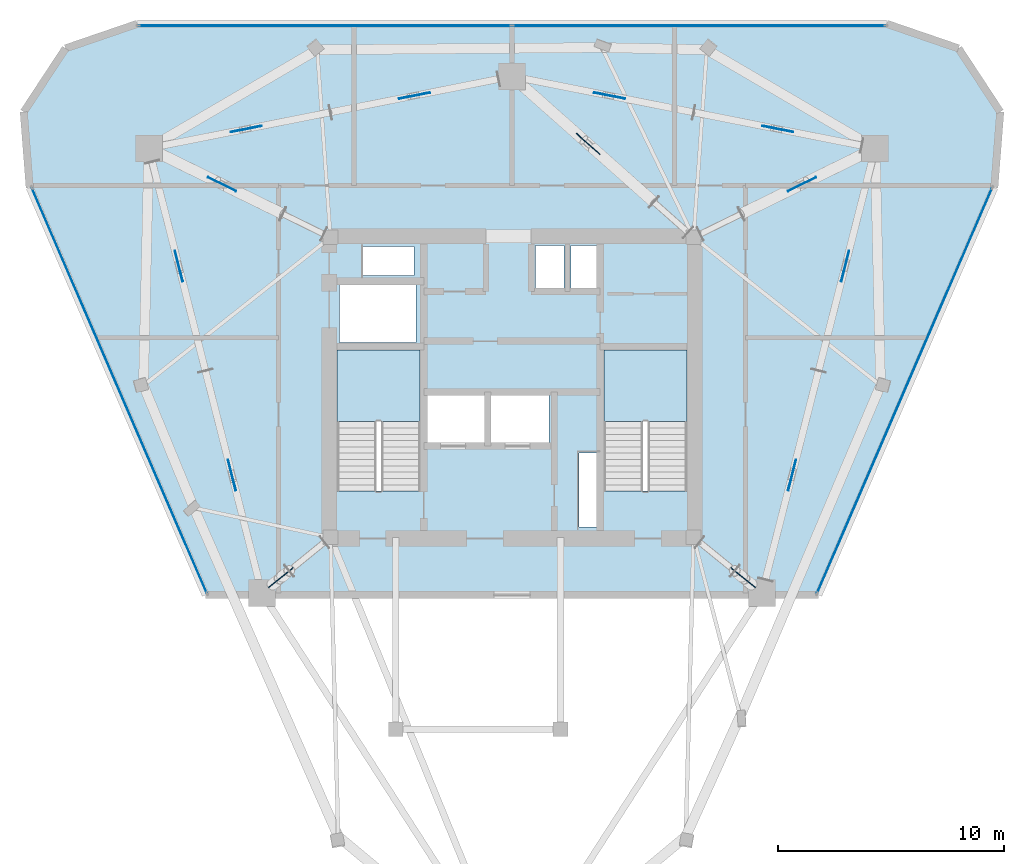
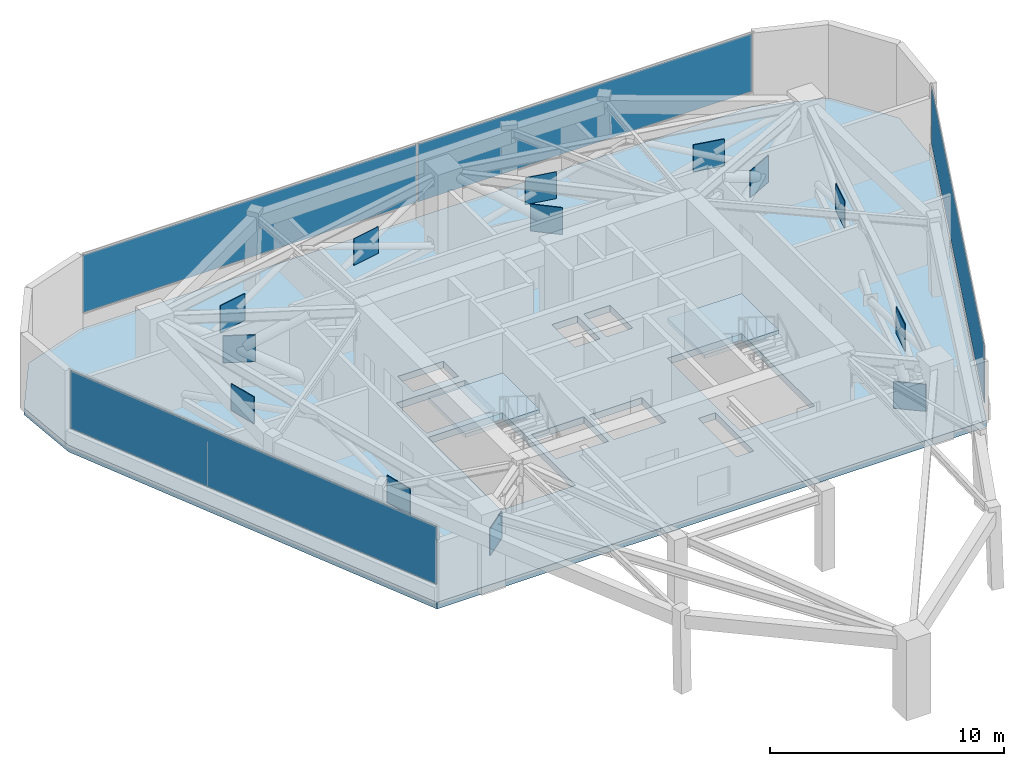
# One storey, part 6 of 9: 17 plates, 3 slabs, 5 elements without a shape of their own.
"""IFC4 building model written with IfcOpenShell, lengths in metres."""

from ifc_helpers import new_model, si_unit, direction, frame, origin, origin_2d, place, context, subcontext, project, spatial, polyline, rectangle, outline, extrude, material, layer, layer_set, type_object, element, aggregate, save


model = new_model("IFC4")

# Units and contexts
model_context = context("Model", 3, precision=1e-05, world=origin(), true_north=direction((0.0, 1.0)))
body_context = subcontext(model_context, "Body", "Model", "MODEL_VIEW")
ifc_project = project(units=[si_unit("LENGTHUNIT", "METRE"), si_unit("AREAUNIT", "SQUARE_METRE"), si_unit("VOLUMEUNIT", "CUBIC_METRE"), si_unit("PLANEANGLEUNIT", "RADIAN"), si_unit("MASSUNIT", "GRAM", prefix="KILO")], contexts=[model_context])

# Site, building, storey
site_placement = place(None, origin())
site = spatial("IfcSite", under=ifc_project, at=site_placement, CompositionType="ELEMENT")
building_placement = place(site_placement, origin())
building = spatial("IfcBuilding", under=site, at=building_placement, Name="Talyreon Biosciences Tower", CompositionType="ELEMENT")
storey_placement = place(building_placement, frame((0.0, 0.0, 279.60009765625)))
storey = spatial("IfcBuildingStorey", under=building, at=storey_placement, Name="L74", CompositionType="ELEMENT", Elevation=279.60009765625)

# Curtain wall, plates
ifc_material_1 = material(Name="Thermally broken aluminium and low-E glazing", Category="aluminium")
ifc_layer_1 = layer(ifc_material_1, 0.175048828125)
ifc_layer_set_1 = layer_set([ifc_layer_1], Name="Thermally broken aluminium and low-E glazing")
curtain_wall_type = type_object("IfcCurtainWallType", Name="CurtainWall_Zone5CompLab", PredefinedType="NOTDEFINED", material=ifc_layer_set_1)
curtain_wall_1_placement = place(storey_placement, origin())
curtain_wall_1 = element("IfcCurtainWall", 1, at=curtain_wall_1_placement, inside=storey, type_object=curtain_wall_type, Name="L74 Unitised Curtain Wall FCW-L74-03", PredefinedType="NOTDEFINED")
ifc_material_2 = material(Name="Triple-silver low-E insulated glazing", Category="glass")
ifc_layer_2 = layer(ifc_material_2, 0.031982421875)
ifc_layer_set_2 = layer_set([ifc_layer_2], Name="Triple-silver low-E insulated glazing")
plate_type_1 = type_object("IfcPlateType", Name="CWGlazingPanel_32", PredefinedType="CURTAIN_PANEL", material=ifc_layer_set_2)
plate_1_placement = place(storey_placement, frame((57.71240234375, 84.037109375, 0.875), z_axis=(0.0, 0.0, 1.0), x_axis=(1.0, 0.0, 0.0)))
plate_1 = element("IfcPlate", 2, at=plate_1_placement, type_object=plate_type_1, Name="CW6 panel 1.1", PredefinedType="CURTAIN_PANEL", context=body_context, shape_type="SweptSolid", body=[
    extrude(rectangle(XDim=16.51025390625, YDim=0.031982421875, at=origin_2d()), origin(), (0.0, 0.0, 1.0), 3.010009765625),
])
plate_2_placement = place(storey_placement, frame((74.28759765625, 84.037109375, 0.875), z_axis=(0.0, 0.0, 1.0), x_axis=(1.0, 0.0, 0.0)))
plate_2 = element("IfcPlate", 3, at=plate_2_placement, type_object=plate_type_1, Name="CW6 panel 2.1", PredefinedType="CURTAIN_PANEL", context=body_context, shape_type="SweptSolid", body=[
    extrude(rectangle(XDim=16.51025390625, YDim=0.031982421875, at=origin_2d()), origin(), (0.0, 0.0, 1.0), 3.010009765625),
])
aggregate(curtain_wall_1, [plate_1, plate_2])

# Curtain wall, plate
curtain_wall_2_placement = place(storey_placement, origin())
curtain_wall_2 = element("IfcCurtainWall", 4, at=curtain_wall_2_placement, inside=storey, type_object=curtain_wall_type, Name="L74 Unitised Curtain Wall FCW-L74-07", PredefinedType="NOTDEFINED")
plate_3_placement = place(storey_placement, frame((83.40869140625, 67.859375, 0.875), z_axis=(0.0, 0.0, 1.0), x_axis=(-0.396530001116, -0.918021763475, 0.0)))
plate_3 = element("IfcPlate", 5, at=plate_3_placement, type_object=plate_type_1, Name="CW6 panel 1.1", PredefinedType="CURTAIN_PANEL", context=body_context, shape_type="SweptSolid", body=[
    extrude(rectangle(XDim=19.53759765625, YDim=0.031982421875, at=origin_2d()), origin(), (0.0, 0.0, 1.0), 3.010009765625),
])
aggregate(curtain_wall_2, [plate_3])

curtain_wall_3_placement = place(storey_placement, origin())
curtain_wall_3 = element("IfcCurtainWall", 6, at=curtain_wall_3_placement, inside=storey, type_object=curtain_wall_type, Name="L74 Unitised Curtain Wall FCW-L74-09", PredefinedType="NOTDEFINED")
plate_4_placement = place(storey_placement, frame((48.59130859375, 67.859375, 0.875), z_axis=(0.0, 0.0, 1.0), x_axis=(-0.396530001116, 0.918021763475, 0.0)))
plate_4 = element("IfcPlate", 7, at=plate_4_placement, type_object=plate_type_1, Name="CW6 panel 1.1", PredefinedType="CURTAIN_PANEL", context=body_context, shape_type="SweptSolid", body=[
    extrude(rectangle(XDim=19.53759765625, YDim=0.031982421875, at=origin_2d()), origin(), (0.0, 0.0, 1.0), 3.010009765625),
])
aggregate(curtain_wall_3, [plate_4])

# Slab
ifc_material_3 = material(Name="Concrete C50/60", Category="concrete")
ifc_layer_3 = layer(ifc_material_3, 0.35009765625)
ifc_layer_set_3 = layer_set([ifc_layer_3], Name="Concrete C50/60")
slab_type_1 = type_object("IfcSlabType", Name="PlantOutriggerSlab_350", PredefinedType="FLOOR", material=ifc_layer_set_3)
slab_1_placement = place(storey_placement, frame((0.0, 0.0, -0.35009765625)))
element("IfcSlab", 8, at=slab_1_placement, inside=storey, type_object=slab_type_1, Name="L74 Structural Floor Slab", PredefinedType="FLOOR", context=body_context, shape_type="SweptSolid", body=[
    extrude(outline(polyline([(44.61865234375, 76.855224609375), (44.356201171875, 80.212646484375), (46.2060546875, 83.02685546875), (49.392333984375, 84.1171875), (82.607666015625, 84.1171875), (85.7939453125, 83.02685546875), (87.643798828125, 80.212646484375), (87.38134765625, 76.855224609375), (79.58251953125, 58.800048828125), (52.41748046875, 58.800048828125), (44.61865234375, 76.855224609375)]), holes=[polyline([(69.820068359375, 65.10009765625), (69.820068359375, 61.800048828125), (68.9599609375, 61.800048828125), (68.9599609375, 65.10009765625), (69.820068359375, 65.10009765625)]), polyline([(61.929931640625, 69.64990234375), (61.929931640625, 63.407958984375), (58.25, 63.407958984375), (58.25, 69.64990234375), (61.929931640625, 69.64990234375)]), polyline([(73.75, 69.64990234375), (73.75, 63.407958984375), (70.070068359375, 63.407958984375), (70.070068359375, 69.64990234375), (73.75, 69.64990234375)]), polyline([(64.800048828125, 67.64990234375), (64.800048828125, 65.550048828125), (62.199951171875, 65.550048828125), (62.199951171875, 67.64990234375), (64.800048828125, 67.64990234375)]), polyline([(67.64990234375, 67.64990234375), (67.64990234375, 65.550048828125), (65.050048828125, 65.550048828125), (65.050048828125, 67.64990234375), (67.64990234375, 67.64990234375)]), polyline([(61.75, 72.550048828125), (61.75, 69.97998046875), (58.35009765625, 69.97998046875), (58.35009765625, 72.550048828125), (61.75, 72.550048828125)]), polyline([(68.300048828125, 74.300048828125), (68.300048828125, 72.35009765625), (67.050048828125, 72.35009765625), (67.050048828125, 74.300048828125), (68.300048828125, 74.300048828125)]), polyline([(69.919921875, 72.35009765625), (68.6201171875, 72.35009765625), (68.6201171875, 74.300048828125), (69.919921875, 74.300048828125), (69.919921875, 72.35009765625)]), polyline([(61.64990234375, 72.9599609375), (59.39990234375, 72.9599609375), (59.39990234375, 74.25), (61.64990234375, 74.25), (61.64990234375, 72.9599609375)])]), origin(), (0.0, 0.0, 1.0), 0.35009765625),
])

# Stair, slab
ifc_material_4 = material(Name="Concrete C40/50", Category="concrete")
stair_type = type_object("IfcStairType", Name="DoglegEscapeStair_4200", PredefinedType="HALF_TURN_STAIR", material=ifc_material_4)
stair_1_placement = place(storey_placement, origin())
stair_1 = element("IfcStair", 9, at=stair_1_placement, inside=storey, type_object=stair_type, Name="L74 Core Escape Stair 1", PredefinedType="HALF_TURN_STAIR")
ifc_layer_4 = layer(ifc_material_4, 0.199951171875)
ifc_layer_set_4 = layer_set([ifc_layer_4], Name="Concrete C40/50")
slab_type_2 = type_object("IfcSlabType", Name="StairLandingSlab_200", PredefinedType="LANDING", material=ifc_layer_set_4)
slab_2_placement = place(storey_placement, frame((0.0, 0.0, 1.89990234375)))
slab_2 = element("IfcSlab", 10, at=slab_2_placement, type_object=slab_type_2, Name="ST-1 landing 1", PredefinedType="LANDING", context=body_context, shape_type="SweptSolid", body=[
    extrude(outline(polyline([(61.929931640625, 66.47998046875), (61.929931640625, 69.64990234375), (58.25, 69.64990234375), (58.25, 66.47998046875), (61.929931640625, 66.47998046875)])), origin(), (0.0, 0.0, 1.0), 0.199951171875),
])
aggregate(stair_1, [slab_2])

stair_2_placement = place(storey_placement, origin())
stair_2 = element("IfcStair", 11, at=stair_2_placement, inside=storey, type_object=stair_type, Name="L74 Core Escape Stair 2", PredefinedType="HALF_TURN_STAIR")
slab_3_placement = place(storey_placement, frame((0.0, 0.0, 1.89990234375)))
slab_3 = element("IfcSlab", 12, at=slab_3_placement, type_object=slab_type_2, Name="ST-2 landing 1", PredefinedType="LANDING", context=body_context, shape_type="SweptSolid", body=[
    extrude(outline(polyline([(73.75, 66.47998046875), (73.75, 69.64990234375), (70.070068359375, 69.64990234375), (70.070068359375, 66.47998046875), (73.75, 66.47998046875)])), origin(), (0.0, 0.0, 1.0), 0.199951171875),
])
aggregate(stair_2, [slab_3])

# Plates
ifc_material_5 = material(Name="Steel SM355", Category="steel")
ifc_layer_5 = layer(ifc_material_5, 0.035888671875)
ifc_layer_set_5 = layer_set([ifc_layer_5], Name="Steel SM355")
plate_type_2 = type_object("IfcPlateType", Name="TrussGussetNodePlate_36", PredefinedType="SHEET", material=ifc_layer_set_5)
for number, where, z_axis, x_axis, name in (
    (13, (76.242919921875, 59.566162109375, 1.27001953125), (0.0, 0.0, 1.0), (0.775793175051, -0.630987281602, 0.0), "Truss node plate NP-OUT-L74-R2-X"),
    (14, (78.857421875, 77.00732421875, 1.27001953125), (0.0, 0.0, 1.0), (0.89785858505, 0.440283955252, 0.0), "Truss node plate NP-OUT-L74-R3-X"),
    (15, (69.3740234375, 78.796630859375, 1.27001953125), (0.0, 0.0, 1.0), (-0.748168780198, 0.663508459883, 0.0), "Truss node plate NP-OUT-L74-R4-X"),
    (16, (53.142578125, 77.00732421875, 1.27001953125), (0.0, 0.0, 1.0), (-0.89785858505, 0.440283955252, 0.0), "Truss node plate NP-OUT-L74-R5-X"),
    (17, (55.757080078125, 59.566162109375, 1.27001953125), (0.0, 0.0, 1.0), (-0.775793175051, -0.630987281602, 0.0), "Truss node plate NP-OUT-L74-R6-X"),
    (18, (78.415283203125, 64.105712890625, 1.27001953125), (0.0, 0.0, 1.0), (0.246542347409, 0.969132019352, 0.0), "Truss node plate NP-BELT-L74-B2S1-X"),
    (19, (80.773193359375, 73.37353515625, 1.27001953125), (0.0, 0.0, 1.0), (0.246542347409, 0.969132019352, 0.0), "Truss node plate NP-BELT-L74-B2S2-X"),
    (20, (77.777587890625, 79.45556640625, 1.27001953125), (0.0, 0.0, 1.0), (-0.980931417826, 0.194354196051, 0.0), "Truss node plate NP-BELT-L74-B3S1-X"),
    (21, (70.32470703125, 80.93212890625, 1.27001953125), (0.0, 0.0, 1.0), (-0.980931417826, 0.194354196051, 0.0), "Truss node plate NP-BELT-L74-B3S2-X"),
    (22, (61.67529296875, 80.93212890625, 1.27001953125), (0.0, 0.0, 1.0), (-0.980931417826, -0.194354196051, 0.0), "Truss node plate NP-BELT-L74-B4S1-X"),
    (23, (54.222412109375, 79.45556640625, 1.27001953125), (0.0, 0.0, 1.0), (-0.980931417826, -0.194354196051, 0.0), "Truss node plate NP-BELT-L74-B4S2-X"),
    (24, (51.226806640625, 73.37353515625, 1.27001953125), (0.0, 0.0, 1.0), (0.246542347409, -0.969132019352, 0.0), "Truss node plate NP-BELT-L74-B5S1-X"),
    (25, (53.584716796875, 64.105712890625, 1.27001953125), (0.0, 0.0, 1.0), (0.246542347409, -0.969132019352, 0.0), "Truss node plate NP-BELT-L74-B5S2-X"),
):
    element("IfcPlate", number, at=place(storey_placement, frame(where, z_axis=z_axis, x_axis=x_axis)), inside=storey, type_object=plate_type_2, Name=name, PredefinedType="SHEET", context=body_context, shape_type="SweptSolid", body=[
        extrude(rectangle(XDim=1.39990234375, YDim=0.035888671875, at=origin_2d()), origin(), (0.0, 0.0, 1.0), 1.39990234375),
    ])

save(model, "model.ifc")
